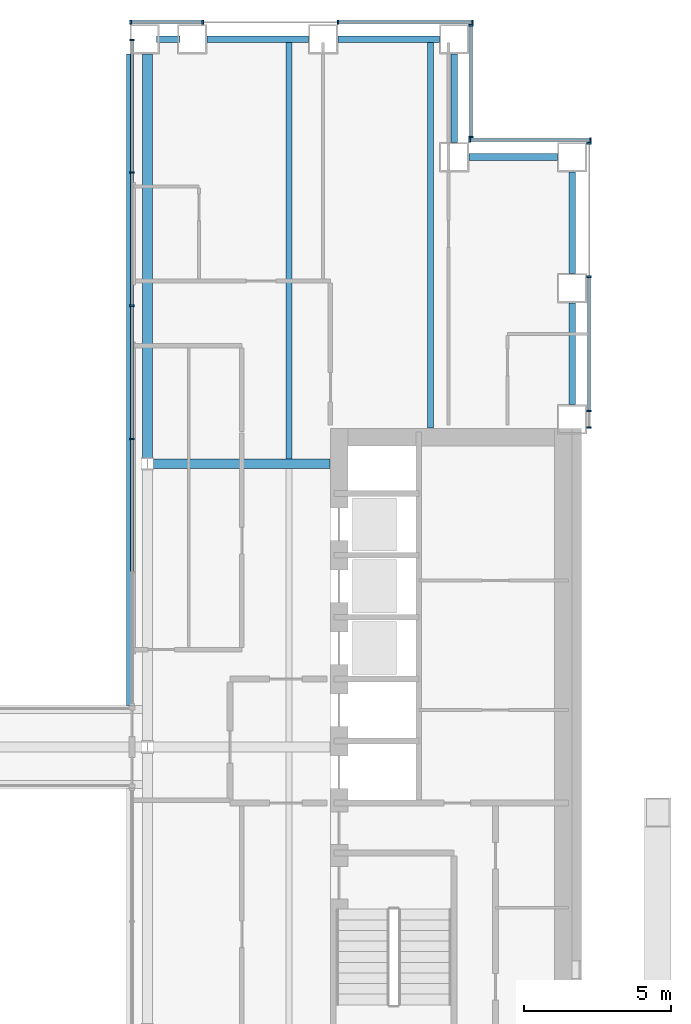
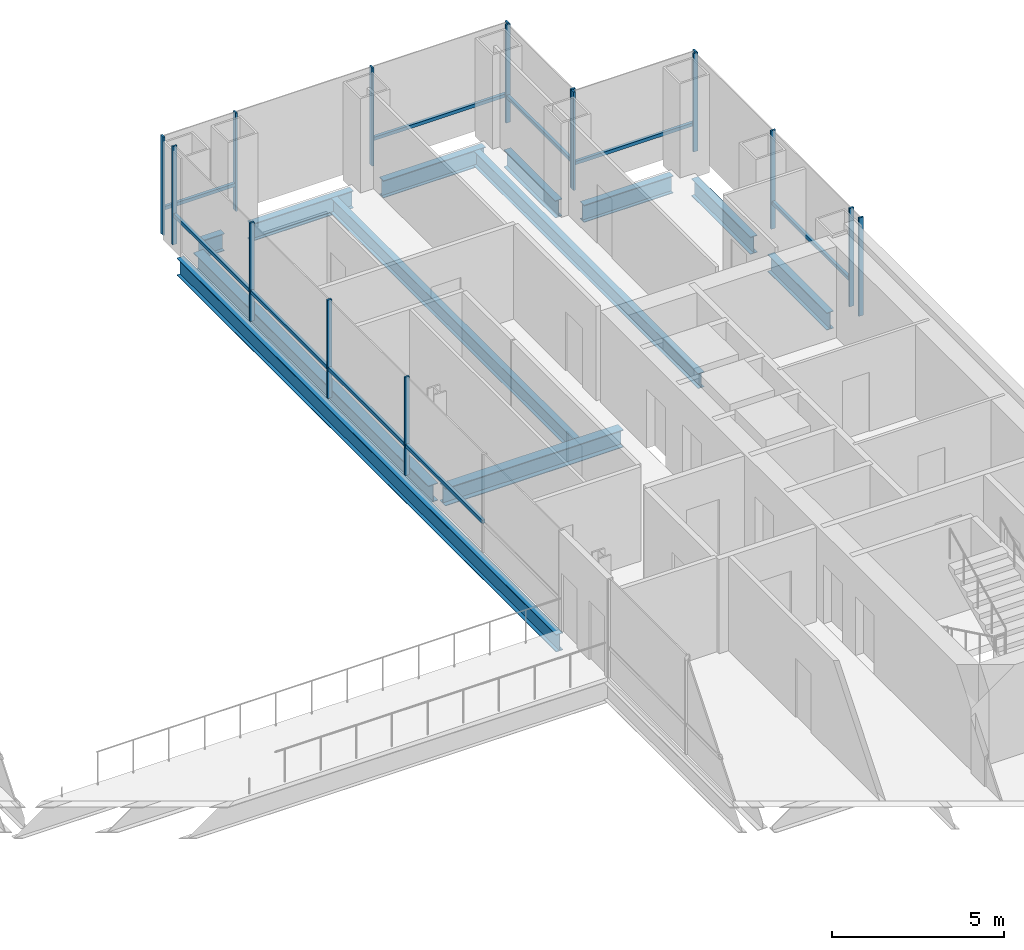
# One storey, part 7 of 19: 25 members, 12 beams, 5 elements without a shape of their own.
"""IFC4 building model written with IfcOpenShell, lengths in metres."""

from ifc_helpers import new_model, si_unit, direction, frame, origin, origin_2d, place, context, subcontext, project, spatial, rectangle, i_section, extrude, material, material_profile, profile_set, type_object, element, aggregate, save


model = new_model("IFC4")

# Units and contexts
model_context = context("Model", 3, precision=1e-05, world=origin(), true_north=direction((0.0, 1.0)))
body_context = subcontext(model_context, "Body", "Model", "MODEL_VIEW")
ifc_project = project(units=[si_unit("LENGTHUNIT", "METRE"), si_unit("AREAUNIT", "SQUARE_METRE"), si_unit("VOLUMEUNIT", "CUBIC_METRE"), si_unit("PLANEANGLEUNIT", "RADIAN"), si_unit("MASSUNIT", "GRAM", prefix="KILO")], contexts=[model_context])

# Site, building, storey
site_placement = place(None, origin())
site = spatial("IfcSite", under=ifc_project, at=site_placement, CompositionType="ELEMENT")
building_placement = place(site_placement, origin())
building = spatial("IfcBuilding", under=site, at=building_placement, Name="Cobrizo Arcos Hotel Tower", CompositionType="ELEMENT")
storey_placement = place(building_placement, frame((0.0, 0.0, 70.5)))
storey = spatial("IfcBuildingStorey", under=building, at=storey_placement, Name="L16", CompositionType="ELEMENT", Elevation=70.5)

# Curtain wall, members
ifc_material_1 = material(Name="Aluminium 6063-T6 anodised bronze", Category="aluminium")
curtain_wall_type_1 = type_object("IfcCurtainWallType", Name="CW-A guest facade", PredefinedType="NOTDEFINED", material=ifc_material_1)
curtain_wall_1_placement = place(storey_placement, origin())
curtain_wall_1 = element("IfcCurtainWall", 1, at=curtain_wall_1_placement, inside=storey, type_object=curtain_wall_type_1, Name="CW-A L16 E face", PredefinedType="NOTDEFINED")
ifc_material_profile_1 = material_profile(ifc_material_1, rectangle(XDim=0.14990234375, YDim=0.06005859375, at=origin_2d()), Name="CW-A mullion 150x60")
ifc_profile_set_1 = profile_set([ifc_material_profile_1], Name="Aluminium 6063-T6 anodised bronze")
member_type_1 = type_object("IfcMemberType", Name="CW-A mullion 150x60", PredefinedType="MULLION", material=ifc_profile_set_1)
member_1_placement = place(storey_placement, frame((24.574951171875, 10.830078125, 0.0), z_axis=(0.0, 0.0, 1.0), x_axis=(1.0, 0.0, 0.0)))
member_1 = element("IfcMember", 2, at=member_1_placement, type_object=member_type_1, Name="CW-A mullion 1", PredefinedType="MULLION", context=body_context, shape_type="SweptSolid", body=[
    extrude(rectangle(XDim=0.14990234375, YDim=0.06005859375, at=origin_2d()), origin(), (0.0, 0.0, 1.0), 3.5),
])
member_2_placement = place(storey_placement, frame((24.574951171875, 11.388916015625, 0.0), z_axis=(0.0, 0.0, 1.0), x_axis=(1.0, 0.0, 0.0)))
member_2 = element("IfcMember", 3, at=member_2_placement, type_object=member_type_1, Name="CW-A mullion 2", PredefinedType="MULLION", context=body_context, shape_type="SweptSolid", body=[
    extrude(rectangle(XDim=0.14990234375, YDim=0.06005859375, at=origin_2d()), origin(), (0.0, 0.0, 1.0), 3.5),
])
member_3_placement = place(storey_placement, frame((24.574951171875, 15.9443359375, 0.0), z_axis=(0.0, 0.0, 1.0), x_axis=(1.0, 0.0, 0.0)))
member_3 = element("IfcMember", 4, at=member_3_placement, type_object=member_type_1, Name="CW-A mullion 3", PredefinedType="MULLION", context=body_context, shape_type="SweptSolid", body=[
    extrude(rectangle(XDim=0.14990234375, YDim=0.06005859375, at=origin_2d()), origin(), (0.0, 0.0, 1.0), 3.5),
])
member_4_placement = place(storey_placement, frame((24.574951171875, 20.469970703125, 0.0), z_axis=(0.0, 0.0, 1.0), x_axis=(1.0, 0.0, 0.0)))
member_4 = element("IfcMember", 5, at=member_4_placement, type_object=member_type_1, Name="CW-A mullion 4", PredefinedType="MULLION", context=body_context, shape_type="SweptSolid", body=[
    extrude(rectangle(XDim=0.14990234375, YDim=0.06005859375, at=origin_2d()), origin(), (0.0, 0.0, 1.0), 3.5),
])

curtain_wall_2_placement = place(storey_placement, origin())
curtain_wall_2 = element("IfcCurtainWall", 6, at=curtain_wall_2_placement, inside=storey, type_object=curtain_wall_type_1, Name="CW-A L16 N face", PredefinedType="NOTDEFINED")
member_5_placement = place(storey_placement, frame((24.6201171875, 20.574951171875, 0.0), z_axis=(0.0, 0.0, 1.0), x_axis=(0.0, 1.0, 0.0)))
member_5 = element("IfcMember", 7, at=member_5_placement, type_object=member_type_1, Name="CW-A mullion 1", PredefinedType="MULLION", context=body_context, shape_type="SweptSolid", body=[
    extrude(rectangle(XDim=0.14990234375, YDim=0.06005859375, at=origin_2d()), origin(), (0.0, 0.0, 1.0), 3.5),
])
member_6_placement = place(storey_placement, frame((20.530029296875, 20.574951171875, 0.0), z_axis=(0.0, 0.0, 1.0), x_axis=(0.0, 1.0, 0.0)))
member_6 = element("IfcMember", 8, at=member_6_placement, type_object=member_type_1, Name="CW-A mullion 2", PredefinedType="MULLION", context=body_context, shape_type="SweptSolid", body=[
    extrude(rectangle(XDim=0.14990234375, YDim=0.06005859375, at=origin_2d()), origin(), (0.0, 0.0, 1.0), 3.5),
])

curtain_wall_3_placement = place(storey_placement, origin())
curtain_wall_3 = element("IfcCurtainWall", 9, at=curtain_wall_3_placement, inside=storey, type_object=curtain_wall_type_1, Name="CW-A L16 E face", PredefinedType="NOTDEFINED")
member_7_placement = place(storey_placement, frame((20.574951171875, 20.679931640625, 0.0), z_axis=(0.0, 0.0, 1.0), x_axis=(1.0, 0.0, 0.0)))
member_7 = element("IfcMember", 10, at=member_7_placement, type_object=member_type_1, Name="CW-A mullion 1", PredefinedType="MULLION", context=body_context, shape_type="SweptSolid", body=[
    extrude(rectangle(XDim=0.14990234375, YDim=0.06005859375, at=origin_2d()), origin(), (0.0, 0.0, 1.0), 3.5),
])
member_8_placement = place(storey_placement, frame((20.574951171875, 24.469970703125, 0.0), z_axis=(0.0, 0.0, 1.0), x_axis=(1.0, 0.0, 0.0)))
member_8 = element("IfcMember", 11, at=member_8_placement, type_object=member_type_1, Name="CW-A mullion 2", PredefinedType="MULLION", context=body_context, shape_type="SweptSolid", body=[
    extrude(rectangle(XDim=0.14990234375, YDim=0.06005859375, at=origin_2d()), origin(), (0.0, 0.0, 1.0), 3.5),
])

curtain_wall_4_placement = place(storey_placement, origin())
curtain_wall_4 = element("IfcCurtainWall", 12, at=curtain_wall_4_placement, inside=storey, type_object=curtain_wall_type_1, Name="CW-A L16 N face", PredefinedType="NOTDEFINED")
member_9_placement = place(storey_placement, frame((20.6201171875, 24.574951171875, 0.0), z_axis=(0.0, 0.0, 1.0), x_axis=(0.0, 1.0, 0.0)))
member_9 = element("IfcMember", 13, at=member_9_placement, type_object=member_type_1, Name="CW-A mullion 1", PredefinedType="MULLION", context=body_context, shape_type="SweptSolid", body=[
    extrude(rectangle(XDim=0.14990234375, YDim=0.06005859375, at=origin_2d()), origin(), (0.0, 0.0, 1.0), 3.5),
])
member_10_placement = place(storey_placement, frame((16.06103515625, 24.574951171875, 0.0), z_axis=(0.0, 0.0, 1.0), x_axis=(0.0, 1.0, 0.0)))
member_10 = element("IfcMember", 14, at=member_10_placement, type_object=member_type_1, Name="CW-A mullion 2", PredefinedType="MULLION", context=body_context, shape_type="SweptSolid", body=[
    extrude(rectangle(XDim=0.14990234375, YDim=0.06005859375, at=origin_2d()), origin(), (0.0, 0.0, 1.0), 3.5),
])
member_11_placement = place(storey_placement, frame((11.47216796875, 24.574951171875, 0.0), z_axis=(0.0, 0.0, 1.0), x_axis=(0.0, 1.0, 0.0)))
member_11 = element("IfcMember", 15, at=member_11_placement, type_object=member_type_1, Name="CW-A mullion 3", PredefinedType="MULLION", context=body_context, shape_type="SweptSolid", body=[
    extrude(rectangle(XDim=0.14990234375, YDim=0.06005859375, at=origin_2d()), origin(), (0.0, 0.0, 1.0), 3.5),
])
member_12_placement = place(storey_placement, frame((9.030029296875, 24.574951171875, 0.0), z_axis=(0.0, 0.0, 1.0), x_axis=(0.0, 1.0, 0.0)))
member_12 = element("IfcMember", 16, at=member_12_placement, type_object=member_type_1, Name="CW-A mullion 4", PredefinedType="MULLION", context=body_context, shape_type="SweptSolid", body=[
    extrude(rectangle(XDim=0.14990234375, YDim=0.06005859375, at=origin_2d()), origin(), (0.0, 0.0, 1.0), 3.5),
])

# Member
ifc_material_profile_2 = material_profile(ifc_material_1, rectangle(XDim=0.10009765625, YDim=0.1201171875, at=origin_2d()), Name="CW-A transom 120x100")
ifc_profile_set_2 = profile_set([ifc_material_profile_2], Name="Aluminium 6063-T6 anodised bronze")
member_type_2 = type_object("IfcMemberType", Name="CW-A transom 120x100", PredefinedType="USERDEFINED", material=ifc_profile_set_2)
member_13_placement = place(storey_placement, frame((24.574951171875, 11.4189453125, 0.929931640625), z_axis=(0.0, 1.0, 0.0), x_axis=(-1.0, 0.0, 0.0)))
member_13 = element("IfcMember", 17, at=member_13_placement, type_object=member_type_2, Name="CW-A transom 697", ObjectType="TRANSOM", PredefinedType="USERDEFINED", context=body_context, shape_type="SweptSolid", body=[
    extrude(rectangle(XDim=0.10009765625, YDim=0.1201171875, at=origin_2d()), origin(), (0.0, 0.0, 1.0), 4.49560546875),
])

aggregate(curtain_wall_1, [member_1, member_2, member_3, member_4, member_13])

member_14_placement = place(storey_placement, frame((24.590087890625, 20.574951171875, 0.929931640625), z_axis=(-1.0, 0.0, 0.0), x_axis=(0.0, -1.0, 0.0)))
member_14 = element("IfcMember", 18, at=member_14_placement, type_object=member_type_2, Name="CW-A transom 699", ObjectType="TRANSOM", PredefinedType="USERDEFINED", context=body_context, shape_type="SweptSolid", body=[
    extrude(rectangle(XDim=0.10009765625, YDim=0.1201171875, at=origin_2d()), origin(), (0.0, 0.0, 1.0), 4.030029296875),
])

aggregate(curtain_wall_2, [member_5, member_6, member_14])

member_15_placement = place(storey_placement, frame((20.574951171875, 20.7099609375, 0.929931640625), z_axis=(0.0, 1.0, 0.0), x_axis=(-1.0, 0.0, 0.0)))
member_15 = element("IfcMember", 19, at=member_15_placement, type_object=member_type_2, Name="CW-A transom 700", ObjectType="TRANSOM", PredefinedType="USERDEFINED", context=body_context, shape_type="SweptSolid", body=[
    extrude(rectangle(XDim=0.10009765625, YDim=0.1201171875, at=origin_2d()), origin(), (0.0, 0.0, 1.0), 3.72998046875),
])

aggregate(curtain_wall_3, [member_7, member_8, member_15])

member_16_placement = place(storey_placement, frame((20.590087890625, 24.574951171875, 0.929931640625), z_axis=(-1.0, 0.0, 0.0), x_axis=(0.0, -1.0, 0.0)))
member_16 = element("IfcMember", 20, at=member_16_placement, type_object=member_type_2, Name="CW-A transom 701", ObjectType="TRANSOM", PredefinedType="USERDEFINED", context=body_context, shape_type="SweptSolid", body=[
    extrude(rectangle(XDim=0.10009765625, YDim=0.1201171875, at=origin_2d()), origin(), (0.0, 0.0, 1.0), 4.4990234375),
])

member_17_placement = place(storey_placement, frame((11.442138671875, 24.574951171875, 0.929931640625), z_axis=(-1.0, 0.0, 0.0), x_axis=(0.0, -1.0, 0.0)))
member_17 = element("IfcMember", 21, at=member_17_placement, type_object=member_type_2, Name="CW-A transom 703", ObjectType="TRANSOM", PredefinedType="USERDEFINED", context=body_context, shape_type="SweptSolid", body=[
    extrude(rectangle(XDim=0.10009765625, YDim=0.1201171875, at=origin_2d()), origin(), (0.0, 0.0, 1.0), 2.382080078125),
])

aggregate(curtain_wall_4, [member_9, member_10, member_11, member_12, member_16, member_17])

# Curtain wall, members
curtain_wall_type_2 = type_object("IfcCurtainWallType", Name="CW-F void screen", PredefinedType="NOTDEFINED", material=ifc_material_1)
curtain_wall_5_placement = place(storey_placement, origin())
curtain_wall_5 = element("IfcCurtainWall", 22, at=curtain_wall_5_placement, inside=storey, type_object=curtain_wall_type_2, Name="CW-F L16 void screen A", PredefinedType="NOTDEFINED")
ifc_material_profile_3 = material_profile(ifc_material_1, rectangle(XDim=0.14990234375, YDim=0.06005859375, at=origin_2d()), Name="CW-F mullion 150x60")
ifc_profile_set_3 = profile_set([ifc_material_profile_3], Name="Aluminium 6063-T6 anodised bronze")
member_type_3 = type_object("IfcMemberType", Name="CW-F mullion 150x60", PredefinedType="MULLION", material=ifc_profile_set_3)
member_18_placement = place(storey_placement, frame((9.074951171875, 10.43994140625, 0.0), z_axis=(0.0, 0.0, 1.0), x_axis=(1.0, 0.0, 0.0)))
member_18 = element("IfcMember", 23, at=member_18_placement, type_object=member_type_3, Name="CW-F mullion 3", PredefinedType="MULLION", context=body_context, shape_type="SweptSolid", body=[
    extrude(rectangle(XDim=0.14990234375, YDim=0.06005859375, at=origin_2d()), origin(), (0.0, 0.0, 1.0), 3.5),
])
member_19_placement = place(storey_placement, frame((9.074951171875, 14.9599609375, 0.0), z_axis=(0.0, 0.0, 1.0), x_axis=(1.0, 0.0, 0.0)))
member_19 = element("IfcMember", 24, at=member_19_placement, type_object=member_type_3, Name="CW-F mullion 4", PredefinedType="MULLION", context=body_context, shape_type="SweptSolid", body=[
    extrude(rectangle(XDim=0.14990234375, YDim=0.06005859375, at=origin_2d()), origin(), (0.0, 0.0, 1.0), 3.5),
])
member_20_placement = place(storey_placement, frame((9.074951171875, 19.47998046875, 0.0), z_axis=(0.0, 0.0, 1.0), x_axis=(1.0, 0.0, 0.0)))
member_20 = element("IfcMember", 25, at=member_20_placement, type_object=member_type_3, Name="CW-F mullion 5", PredefinedType="MULLION", context=body_context, shape_type="SweptSolid", body=[
    extrude(rectangle(XDim=0.14990234375, YDim=0.06005859375, at=origin_2d()), origin(), (0.0, 0.0, 1.0), 3.5),
])
member_21_placement = place(storey_placement, frame((9.074951171875, 23.969970703125, 0.0), z_axis=(0.0, 0.0, 1.0), x_axis=(1.0, 0.0, 0.0)))
member_21 = element("IfcMember", 26, at=member_21_placement, type_object=member_type_3, Name="CW-F mullion 6", PredefinedType="MULLION", context=body_context, shape_type="SweptSolid", body=[
    extrude(rectangle(XDim=0.14990234375, YDim=0.06005859375, at=origin_2d()), origin(), (0.0, 0.0, 1.0), 3.5),
])
ifc_material_profile_4 = material_profile(ifc_material_1, rectangle(XDim=0.10009765625, YDim=0.1201171875, at=origin_2d()), Name="CW-F transom 120x100")
ifc_profile_set_4 = profile_set([ifc_material_profile_4], Name="Aluminium 6063-T6 anodised bronze")
member_type_4 = type_object("IfcMemberType", Name="CW-F transom 120x100", PredefinedType="USERDEFINED", material=ifc_profile_set_4)
member_22_placement = place(storey_placement, frame((9.074951171875, 5.949951171875, 1.050048828125), z_axis=(0.0, 1.0, 0.0), x_axis=(-1.0, 0.0, 0.0)))
member_22 = element("IfcMember", 27, at=member_22_placement, type_object=member_type_4, Name="CW-F transom 2494", ObjectType="TRANSOM", PredefinedType="USERDEFINED", context=body_context, shape_type="SweptSolid", body=[
    extrude(rectangle(XDim=0.10009765625, YDim=0.1201171875, at=origin_2d()), origin(), (0.0, 0.0, 1.0), 4.4599609375),
])
member_23_placement = place(storey_placement, frame((9.074951171875, 10.469970703125, 1.050048828125), z_axis=(0.0, 1.0, 0.0), x_axis=(-1.0, 0.0, 0.0)))
member_23 = element("IfcMember", 28, at=member_23_placement, type_object=member_type_4, Name="CW-F transom 2495", ObjectType="TRANSOM", PredefinedType="USERDEFINED", context=body_context, shape_type="SweptSolid", body=[
    extrude(rectangle(XDim=0.10009765625, YDim=0.1201171875, at=origin_2d()), origin(), (0.0, 0.0, 1.0), 4.4599609375),
])
member_24_placement = place(storey_placement, frame((9.074951171875, 14.989990234375, 1.050048828125), z_axis=(0.0, 1.0, 0.0), x_axis=(-1.0, 0.0, 0.0)))
member_24 = element("IfcMember", 29, at=member_24_placement, type_object=member_type_4, Name="CW-F transom 2496", ObjectType="TRANSOM", PredefinedType="USERDEFINED", context=body_context, shape_type="SweptSolid", body=[
    extrude(rectangle(XDim=0.10009765625, YDim=0.1201171875, at=origin_2d()), origin(), (0.0, 0.0, 1.0), 4.4599609375),
])
member_25_placement = place(storey_placement, frame((9.074951171875, 19.510009765625, 1.050048828125), z_axis=(0.0, 1.0, 0.0), x_axis=(-1.0, 0.0, 0.0)))
member_25 = element("IfcMember", 30, at=member_25_placement, type_object=member_type_4, Name="CW-F transom 2497", ObjectType="TRANSOM", PredefinedType="USERDEFINED", context=body_context, shape_type="SweptSolid", body=[
    extrude(rectangle(XDim=0.10009765625, YDim=0.1201171875, at=origin_2d()), origin(), (0.0, 0.0, 1.0), 4.429931640625),
])
aggregate(curtain_wall_5, [member_18, member_19, member_20, member_21, member_22, member_23, member_24, member_25])

# Beams
ifc_material_2 = material(Name="Steel ASTM A992 Grade 50", Category="steel")
ifc_material_profile_5 = material_profile(ifc_material_2, i_section(OverallWidth=0.209228515625, OverallDepth=0.533447265625, WebThickness=0.01025390625, FlangeThickness=0.015625, at=origin_2d()), Name="W21X62")
ifc_profile_set_5 = profile_set([ifc_material_profile_5], Name="Steel ASTM A992 Grade 50")
beam_type_1 = type_object("IfcBeamType", Name="W21X62 joist", PredefinedType="JOIST", material=ifc_profile_set_5)
beam_1_placement = place(storey_placement, frame((14.39990234375, 9.763916015625, -0.416748046875), z_axis=(0.0, 1.0, 0.0), x_axis=(-1.0, 0.0, 0.0)))
element("IfcBeam", 31, at=beam_1_placement, inside=storey, type_object=beam_type_1, Name="Floor joist J1, L16, no. 010", PredefinedType="JOIST", context=body_context, shape_type="SweptSolid", body=[
    extrude(i_section(OverallWidth=0.209228515625, OverallDepth=0.533447265625, WebThickness=0.01025390625, FlangeThickness=0.015625, at=origin_2d()), origin(), (0.0, 0.0, 1.0), 14.14599609375),
])
beam_2_placement = place(storey_placement, frame((19.199951171875, 10.81005859375, -0.416748046875), z_axis=(0.0, 1.0, 0.0), x_axis=(-1.0, 0.0, 0.0)))
element("IfcBeam", 32, at=beam_2_placement, inside=storey, type_object=beam_type_1, Name="Floor joist J1, L16, no. 012", PredefinedType="JOIST", context=body_context, shape_type="SweptSolid", body=[
    extrude(i_section(OverallWidth=0.209228515625, OverallDepth=0.533447265625, WebThickness=0.01025390625, FlangeThickness=0.015625, at=origin_2d()), origin(), (0.0, 0.0, 1.0), 13.099853515625),
])
ifc_material_profile_6 = material_profile(ifc_material_2, i_section(OverallWidth=0.32763671875, OverallDepth=0.622314453125, WebThickness=0.015380859375, FlangeThickness=0.0244140625, at=origin_2d()), Name="W24X131")
ifc_profile_set_6 = profile_set([ifc_material_profile_6], Name="Steel ASTM A992 Grade 50")
beam_type_2 = type_object("IfcBeamType", Name="W24X131 girder", PredefinedType="BEAM", material=ifc_profile_set_6)
beam_3_placement = place(storey_placement, frame((9.804443359375, 9.60009765625, -0.461181640625), z_axis=(1.0, 0.0, 0.0), x_axis=(0.0, 1.0, 0.0)))
element("IfcBeam", 33, at=beam_3_placement, inside=storey, type_object=beam_type_2, Name="Floor girder G1, L16, no. 007", PredefinedType="BEAM", context=body_context, shape_type="SweptSolid", body=[
    extrude(i_section(OverallWidth=0.32763671875, OverallDepth=0.622314453125, WebThickness=0.015380859375, FlangeThickness=0.0244140625, at=origin_2d()), origin(), (0.0, 0.0, 1.0), 5.985595703125),
])
beam_4_placement = place(storey_placement, frame((9.60009765625, 9.804443359375, -0.461181640625), z_axis=(0.0, 1.0, 0.0), x_axis=(-1.0, 0.0, 0.0)))
element("IfcBeam", 34, at=beam_4_placement, inside=storey, type_object=beam_type_2, Name="Floor girder G1, L16, no. 015", PredefinedType="BEAM", context=body_context, shape_type="SweptSolid", body=[
    extrude(i_section(OverallWidth=0.32763671875, OverallDepth=0.622314453125, WebThickness=0.015380859375, FlangeThickness=0.0244140625, at=origin_2d()), origin(), (0.0, 0.0, 1.0), 13.695556640625),
])
ifc_material_profile_7 = material_profile(ifc_material_2, i_section(OverallWidth=0.23046875, OverallDepth=0.6171875, WebThickness=0.01318359375, FlangeThickness=0.022216796875, at=origin_2d()), Name="W24X94")
ifc_profile_set_7 = profile_set([ifc_material_profile_7], Name="Steel ASTM A992 Grade 50")
beam_type_3 = type_object("IfcBeamType", Name="W24X94 spandrel", PredefinedType="SPANDREL", material=ifc_profile_set_7)
beam_5_placement = place(storey_placement, frame((20.5, 20.0, -0.45849609375), z_axis=(1.0, 0.0, 0.0), x_axis=(0.0, 1.0, 0.0)))
element("IfcBeam", 35, at=beam_5_placement, inside=storey, type_object=beam_type_3, Name="Spandrel beam W24X94, L16, no. 001", PredefinedType="SPANDREL", context=body_context, shape_type="SweptSolid", body=[
    extrude(i_section(OverallWidth=0.23046875, OverallDepth=0.6171875, WebThickness=0.01318359375, FlangeThickness=0.022216796875, at=origin_2d()), origin(), (0.0, 0.0, 1.0), 3.0),
])
beam_6_placement = place(storey_placement, frame((24.0, 19.5, -0.45849609375), z_axis=(0.0, -1.0, 0.0), x_axis=(1.0, 0.0, 0.0)))
element("IfcBeam", 36, at=beam_6_placement, inside=storey, type_object=beam_type_3, Name="Spandrel beam W24X94, L16, no. 002", PredefinedType="SPANDREL", context=body_context, shape_type="SweptSolid", body=[
    extrude(i_section(OverallWidth=0.23046875, OverallDepth=0.6171875, WebThickness=0.01318359375, FlangeThickness=0.022216796875, at=origin_2d()), origin(), (0.0, 0.0, 1.0), 3.444091796875),
])
beam_7_placement = place(storey_placement, frame((24.0, 15.055908203125, -0.45849609375), z_axis=(0.0, -1.0, 0.0), x_axis=(1.0, 0.0, 0.0)))
element("IfcBeam", 37, at=beam_7_placement, inside=storey, type_object=beam_type_3, Name="Spandrel beam W24X94, L16, no. 003", PredefinedType="SPANDREL", context=body_context, shape_type="SweptSolid", body=[
    extrude(i_section(OverallWidth=0.23046875, OverallDepth=0.6171875, WebThickness=0.01318359375, FlangeThickness=0.022216796875, at=origin_2d()), origin(), (0.0, 0.0, 1.0), 3.44482421875),
])
beam_8_placement = place(storey_placement, frame((9.0, 1.39990234375, -0.45849609375), z_axis=(0.0, 1.0, 0.0), x_axis=(-1.0, 0.0, 0.0)))
element("IfcBeam", 38, at=beam_8_placement, inside=storey, type_object=beam_type_3, Name="Spandrel beam W24X94, L16, no. 028", PredefinedType="SPANDREL", context=body_context, shape_type="SweptSolid", body=[
    extrude(i_section(OverallWidth=0.23046875, OverallDepth=0.6171875, WebThickness=0.01318359375, FlangeThickness=0.022216796875, at=origin_2d()), origin(), (0.0, 0.0, 1.0), 22.10009765625),
])
beam_9_placement = place(storey_placement, frame((9.89990234375, 24.0, -0.45849609375), z_axis=(1.0, 0.0, 0.0), x_axis=(0.0, 1.0, 0.0)))
element("IfcBeam", 39, at=beam_9_placement, inside=storey, type_object=beam_type_3, Name="Spandrel beam W24X94, L16, no. 029", PredefinedType="SPANDREL", context=body_context, shape_type="SweptSolid", body=[
    extrude(i_section(OverallWidth=0.23046875, OverallDepth=0.6171875, WebThickness=0.01318359375, FlangeThickness=0.022216796875, at=origin_2d()), origin(), (0.0, 0.0, 1.0), 0.81103515625),
])
beam_10_placement = place(storey_placement, frame((11.611083984375, 24.0, -0.45849609375), z_axis=(1.0, 0.0, 0.0), x_axis=(0.0, 1.0, 0.0)))
element("IfcBeam", 40, at=beam_10_placement, inside=storey, type_object=beam_type_3, Name="Spandrel beam W24X94, L16, no. 030", PredefinedType="SPANDREL", context=body_context, shape_type="SweptSolid", body=[
    extrude(i_section(OverallWidth=0.23046875, OverallDepth=0.6171875, WebThickness=0.01318359375, FlangeThickness=0.022216796875, at=origin_2d()), origin(), (0.0, 0.0, 1.0), 3.44482421875),
])
beam_11_placement = place(storey_placement, frame((16.055908203125, 24.0, -0.45849609375), z_axis=(1.0, 0.0, 0.0), x_axis=(0.0, 1.0, 0.0)))
element("IfcBeam", 41, at=beam_11_placement, inside=storey, type_object=beam_type_3, Name="Spandrel beam W24X94, L16, no. 031", PredefinedType="SPANDREL", context=body_context, shape_type="SweptSolid", body=[
    extrude(i_section(OverallWidth=0.23046875, OverallDepth=0.6171875, WebThickness=0.01318359375, FlangeThickness=0.022216796875, at=origin_2d()), origin(), (0.0, 0.0, 1.0), 3.444091796875),
])
beam_12_placement = place(storey_placement, frame((20.0, 23.5, -0.45849609375), z_axis=(0.0, -1.0, 0.0), x_axis=(1.0, 0.0, 0.0)))
element("IfcBeam", 42, at=beam_12_placement, inside=storey, type_object=beam_type_3, Name="Spandrel beam W24X94, L16, no. 032", PredefinedType="SPANDREL", context=body_context, shape_type="SweptSolid", body=[
    extrude(i_section(OverallWidth=0.23046875, OverallDepth=0.6171875, WebThickness=0.01318359375, FlangeThickness=0.022216796875, at=origin_2d()), origin(), (0.0, 0.0, 1.0), 3.0),
])

save(model, "model.ifc")
